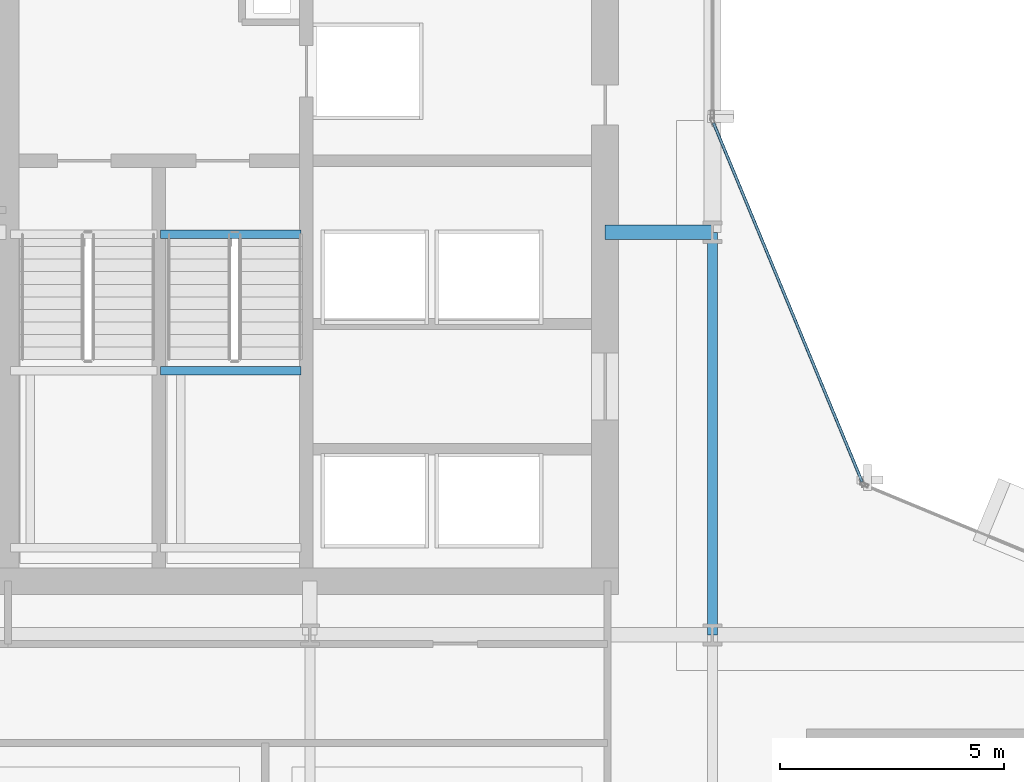
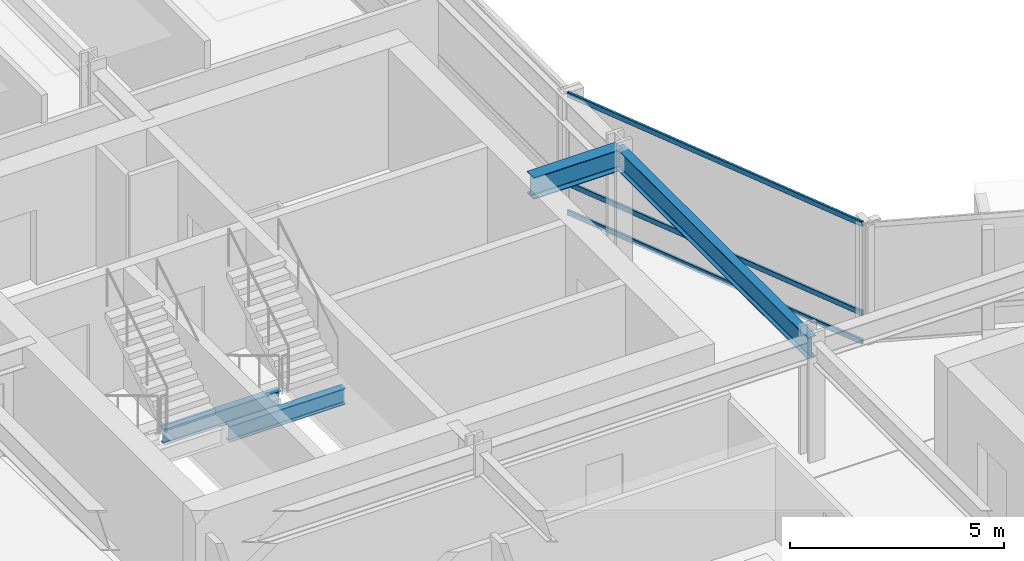
# One storey, part 20 of 34: 4 beams, 3 members, 1 element without a shape of its own.
"""IFC4 building model written with IfcOpenShell, lengths in metres."""

from ifc_helpers import new_model, si_unit, direction, frame, origin, origin_2d, place, context, subcontext, project, spatial, hollow_rectangle, i_section, extrude, material, layer, layer_set, material_profile, profile_set, type_object, element, aggregate, save


model = new_model("IFC4")

# Units and contexts
model_context = context("Model", 3, precision=1e-05, world=origin(), true_north=direction((0.0, 1.0)))
body_context = subcontext(model_context, "Body", "Model", "MODEL_VIEW")
ifc_project = project(units=[si_unit("LENGTHUNIT", "METRE"), si_unit("AREAUNIT", "SQUARE_METRE"), si_unit("VOLUMEUNIT", "CUBIC_METRE"), si_unit("PLANEANGLEUNIT", "RADIAN"), si_unit("MASSUNIT", "GRAM", prefix="KILO")], contexts=[model_context])

# Site, building, storey
site_placement = place(None, origin())
site = spatial("IfcSite", under=ifc_project, at=site_placement, CompositionType="ELEMENT")
building_placement = place(site_placement, origin())
building = spatial("IfcBuilding", under=site, at=building_placement, Name="Solvaryn Broadcast Tower", CompositionType="ELEMENT")
storey_placement = place(building_placement, frame((0.0, 0.0, 54.5)))
storey = spatial("IfcBuildingStorey", under=building, at=storey_placement, Name="L12", CompositionType="ELEMENT", Elevation=54.5)

# Beams
ifc_material_1 = material(Name="Steel ASTM A992 Grade 50", Category="steel")
ifc_material_profile_1 = material_profile(ifc_material_1, i_section(OverallWidth=0.323974609375, OverallDepth=0.611083984375, WebThickness=0.0126953125, FlangeThickness=0.01904296875, FilletRadius=0.014892578125, at=origin_2d()))
ifc_profile_set_1 = profile_set([ifc_material_profile_1], Name="Steel ASTM A992 Grade 50")
beam_type_1 = type_object("IfcBeamType", Name="BM-B1-W24X104", PredefinedType="BEAM", material=ifc_profile_set_1)
beam_1_placement = place(storey_placement, frame((24.60009765625, 36.0, 3.114501953125), z_axis=(1.0, 0.0, 0.0), x_axis=(0.0, 1.0, 0.0)))
element("IfcBeam", 1, at=beam_1_placement, inside=storey, type_object=beam_type_1, Name="L12 Core Tie Beam CTW2", PredefinedType="BEAM", context=body_context, shape_type="SweptSolid", body=[
    extrude(i_section(OverallWidth=0.323974609375, OverallDepth=0.611083984375, WebThickness=0.0126953125, FlangeThickness=0.01904296875, FilletRadius=0.014892578125, at=origin_2d()), origin(), (0.0, 0.0, 1.0), 2.39990234375),
])
ifc_material_2 = material(Name="Steel ASTM A992 Grade 50", Category="steel")
ifc_material_profile_2 = material_profile(ifc_material_2, i_section(OverallWidth=0.22802734375, OverallDepth=0.60791015625, WebThickness=0.01123046875, FlangeThickness=0.017333984375, FilletRadius=0.014892578125, at=origin_2d()))
ifc_profile_set_2 = profile_set([ifc_material_profile_2], Name="Steel ASTM A992 Grade 50")
beam_type_2 = type_object("IfcBeamType", Name="BM-B2-W24X76", PredefinedType="BEAM", material=ifc_profile_set_2)
beam_2_placement = place(storey_placement, frame((27.0, 27.0, 3.115966796875), z_axis=(0.0, 1.0, 0.0), x_axis=(-1.0, 0.0, 0.0)))
element("IfcBeam", 2, at=beam_2_placement, inside=storey, type_object=beam_type_2, Name="L12 Primary Beam Y (27-36 @ X=27)", PredefinedType="BEAM", context=body_context, shape_type="SweptSolid", body=[
    extrude(i_section(OverallWidth=0.22802734375, OverallDepth=0.60791015625, WebThickness=0.01123046875, FlangeThickness=0.017333984375, FilletRadius=0.014892578125, at=origin_2d()), origin(), (0.0, 0.0, 1.0), 9.0),
])
ifc_material_3 = material(Name="Steel ASTM A992 Grade 50", Category="steel")
ifc_material_profile_3 = material_profile(ifc_material_3, i_section(OverallWidth=0.18994140625, OverallDepth=0.45703125, WebThickness=0.009033203125, FlangeThickness=0.014404296875, FilletRadius=0.011962890625, at=origin_2d()))
ifc_profile_set_3 = profile_set([ifc_material_profile_3], Name="Steel ASTM A992 Grade 50")
beam_type_3 = type_object("IfcBeamType", Name="BM-B4-W18X50", PredefinedType="BEAM", material=ifc_profile_set_3)
for number, where, z_axis, x_axis, name in (
    (3, (14.659912109375, 35.9599609375, -0.508544921875), (1.0, 0.0, 0.0), (0.0, 1.0, 0.0), "L12 ST2 Stair Well Trimmer Beam"),
    (4, (14.659912109375, 32.909912109375, 1.42138671875), (1.0, 0.0, 0.0), (0.0, 1.0, 0.0), "L12 ST2 Landing Support Beam 1B"),
):
    element("IfcBeam", number, at=place(storey_placement, frame(where, z_axis=z_axis, x_axis=x_axis)), inside=storey, type_object=beam_type_3, Name=name, PredefinedType="BEAM", context=body_context, shape_type="SweptSolid", body=[
        extrude(i_section(OverallWidth=0.18994140625, OverallDepth=0.45703125, WebThickness=0.009033203125, FlangeThickness=0.014404296875, FilletRadius=0.011962890625, at=origin_2d()), origin(), (0.0, 0.0, 1.0), 3.14013671875),
    ])

# Curtain wall, members
ifc_material_4 = material(Name="Aluminium and Terracotta Unitised Curtain Wall", Category="masonry")
ifc_layer = layer(ifc_material_4, 0.199951171875)
ifc_layer_set = layer_set([ifc_layer], Name="CW-SYS2-LOWMID")
curtain_wall_type = type_object("IfcCurtainWallType", Name="CW-SYS2-LOWMID", PredefinedType="NOTDEFINED", material=ifc_layer_set)
curtain_wall_placement = place(storey_placement, origin())
curtain_wall = element("IfcCurtainWall", 5, at=curtain_wall_placement, inside=storey, type_object=curtain_wall_type, Name="L12 Curtain Wall CN2", PredefinedType="NOTDEFINED")
ifc_material_5 = material(Name="Anodised Aluminium 6063-T6", Category="aluminium")
ifc_material_profile_4 = material_profile(ifc_material_5, hollow_rectangle(XDim=0.06494140625, YDim=0.14990234375, WallThickness=0.00390625, InnerFilletRadius=0.00390625, OuterFilletRadius=0.008056640625, at=origin_2d()))
ifc_profile_set_4 = profile_set([ifc_material_profile_4], Name="Anodised Aluminium 6063-T6")
member_type = type_object("IfcMemberType", Name="CW-TRN-150", PredefinedType="USERDEFINED", material=ifc_profile_set_4)
member_1_placement = place(storey_placement, frame((30.344970703125, 30.42333984375, 0.030029296875), z_axis=(-0.382635748975, 0.923899282177, 0.0), x_axis=(-0.923899282177, -0.382635748975, 0.0)))
member_1 = element("IfcMember", 6, at=member_1_placement, type_object=member_type, Name="CWS2 transom 1.1", ObjectType="TRANSOM", PredefinedType="USERDEFINED", context=body_context, shape_type="SweptSolid", body=[
    extrude(hollow_rectangle(XDim=0.06494140625, YDim=0.14990234375, WallThickness=0.00390625, InnerFilletRadius=0.00390625, OuterFilletRadius=0.008056640625, at=origin_2d()), origin(), (0.0, 0.0, 1.0), 8.681884765625),
])
member_2_placement = place(storey_placement, frame((30.344970703125, 30.42333984375, 0.85009765625), z_axis=(-0.382635748975, 0.923899282177, 0.0), x_axis=(-0.923899282177, -0.382635748975, 0.0)))
member_2 = element("IfcMember", 7, at=member_2_placement, type_object=member_type, Name="CWS2 transom 1.2", ObjectType="TRANSOM", PredefinedType="USERDEFINED", context=body_context, shape_type="SweptSolid", body=[
    extrude(hollow_rectangle(XDim=0.06494140625, YDim=0.14990234375, WallThickness=0.00390625, InnerFilletRadius=0.00390625, OuterFilletRadius=0.008056640625, at=origin_2d()), origin(), (0.0, 0.0, 1.0), 8.681884765625),
])
member_3_placement = place(storey_placement, frame((30.344970703125, 30.42333984375, 3.389892578125), z_axis=(-0.382635748975, 0.923899282177, 0.0), x_axis=(-0.923899282177, -0.382635748975, 0.0)))
member_3 = element("IfcMember", 8, at=member_3_placement, type_object=member_type, Name="CWS2 transom 1.3", ObjectType="TRANSOM", PredefinedType="USERDEFINED", context=body_context, shape_type="SweptSolid", body=[
    extrude(hollow_rectangle(XDim=0.06494140625, YDim=0.14990234375, WallThickness=0.00390625, InnerFilletRadius=0.00390625, OuterFilletRadius=0.008056640625, at=origin_2d()), origin(), (0.0, 0.0, 1.0), 8.681884765625),
])
aggregate(curtain_wall, [member_1, member_2, member_3])

save(model, "model.ifc")
